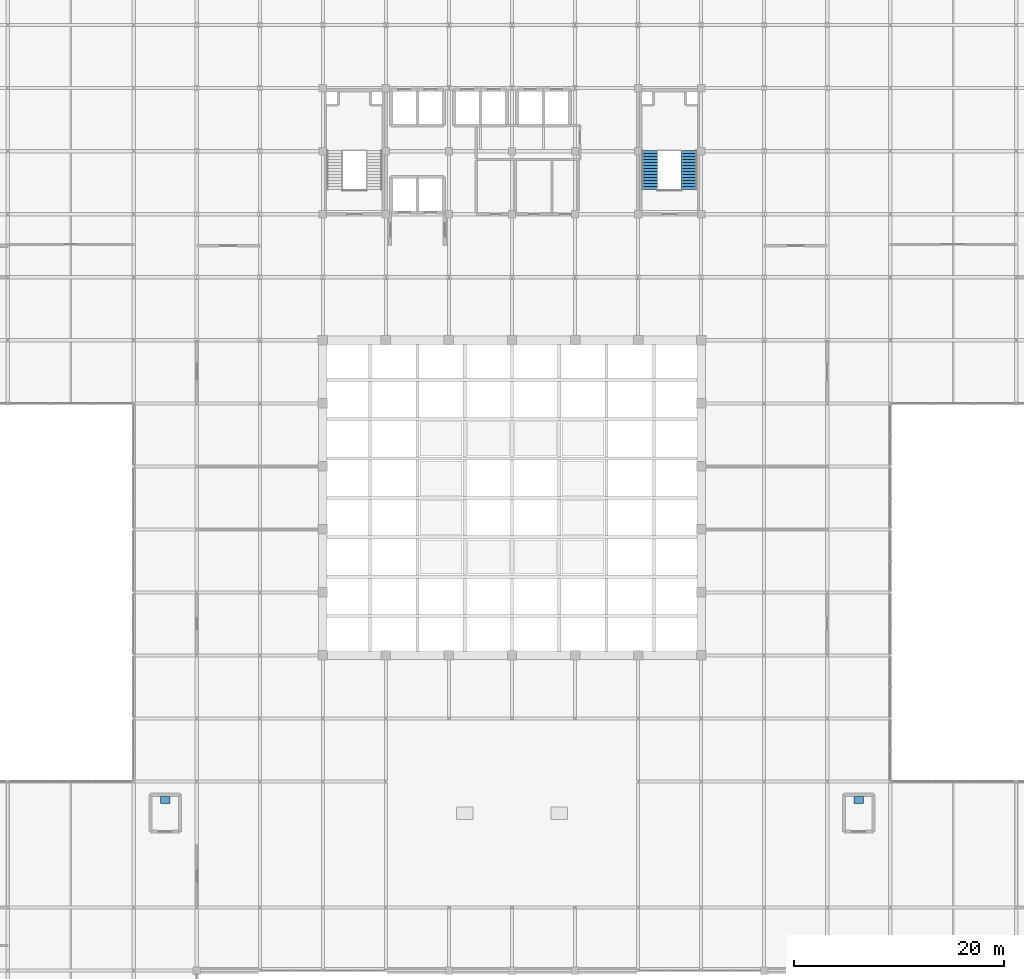
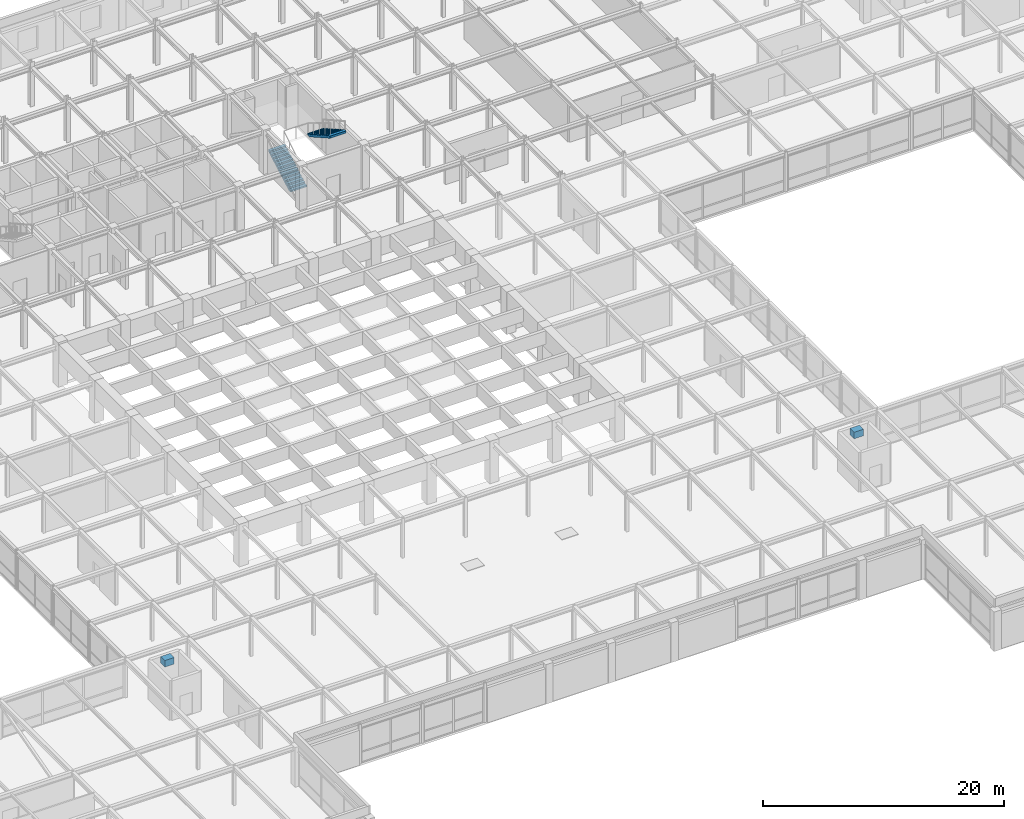
# One storey, part 110 of 111: 2 discrete accessories, 2 stair flights, 1 element without a shape of its own.
"""IFC4 building model written with IfcOpenShell, lengths in metres."""

from ifc_helpers import new_model, si_unit, direction, frame, origin, origin_2d, place, context, subcontext, project, spatial, polyline, rectangle, outline, extrude, material, type_object, element, aggregate, save


model = new_model("IFC4")

# Units and contexts
model_context = context("Model", 3, precision=1e-05, world=origin(), true_north=direction((0.0, 1.0)))
body_context = subcontext(model_context, "Body", "Model", "MODEL_VIEW")
ifc_project = project(units=[si_unit("LENGTHUNIT", "METRE"), si_unit("AREAUNIT", "SQUARE_METRE"), si_unit("VOLUMEUNIT", "CUBIC_METRE"), si_unit("PLANEANGLEUNIT", "RADIAN"), si_unit("MASSUNIT", "GRAM", prefix="KILO")], contexts=[model_context])

# Site, building, storey
site_placement = place(None, origin())
site = spatial("IfcSite", under=ifc_project, at=site_placement, CompositionType="ELEMENT")
building_placement = place(site_placement, origin())
building = spatial("IfcBuilding", under=site, at=building_placement, Name="Zlatovratsky Civic Hall", CompositionType="ELEMENT")
storey_placement = place(building_placement, frame((0.0, 0.0, 16.5)))
storey = spatial("IfcBuildingStorey", under=building, at=storey_placement, Name="L04", CompositionType="ELEMENT", Elevation=16.5)

# Stair, stair flights
ifc_material_1 = material(Name="Concrete C30/37 (B35)", Category="concrete")
stair_type = type_object("IfcStairType", Name="Stair_HALF_28R_1550W_03", PredefinedType="HALF_TURN_STAIR", material=ifc_material_1)
stair_placement = place(storey_placement, origin())
stair = element("IfcStair", 1, at=stair_placement, inside=storey, type_object=stair_type, Name="ST-024", PredefinedType="HALF_TURN_STAIR")
stair_flight_type = type_object("IfcStairFlightType", Name="StairFlight_14R_1550W_03", PredefinedType="STRAIGHT", material=ifc_material_1)
stair_flight_1_placement = place(storey_placement, frame((97.125, 86.35009765625, 0.0), z_axis=(0.0, 0.0, 1.0), x_axis=(0.0, 1.0, 0.0)))
stair_flight_1 = element("IfcStairFlight", 2, at=stair_flight_1_placement, type_object=stair_flight_type, Name="ST-024-F1", NumberOfRisers=14, NumberOfTreads=13, PredefinedType="STRAIGHT", RiserHeight=0.160714286, TreadLength=0.285, context=body_context, shape_type="SweptSolid", body=[
    extrude(outline(polyline([(0.0, 0.0), (0.0, 0.16064453125), (0.284912109375, 0.16064453125), (0.284912109375, 0.321533203125), (0.570068359375, 0.321533203125), (0.570068359375, 0.482177734375), (0.85498046875, 0.482177734375), (0.85498046875, 0.642822265625), (1.139892578125, 0.642822265625), (1.139892578125, 0.803466796875), (1.425048828125, 0.803466796875), (1.425048828125, 0.96435546875), (1.7099609375, 0.96435546875), (1.7099609375, 1.125), (1.9951171875, 1.125), (1.9951171875, 1.28564453125), (2.280029296875, 1.28564453125), (2.280029296875, 1.446533203125), (2.56494140625, 1.446533203125), (2.56494140625, 1.607177734375), (2.85009765625, 1.607177734375), (2.85009765625, 1.767822265625), (3.135009765625, 1.767822265625), (3.135009765625, 1.928466796875), (3.419921875, 1.928466796875), (3.419921875, 2.08935546875), (3.705078125, 2.08935546875), (3.705078125, 2.25), (3.705078125, 1.8828125), (0.3662109375, 0.0), (0.0, 0.0)])), frame((0.0, 0.77490234375, 0.0), z_axis=(0.0, -1.0, 0.0), x_axis=(1.0, 0.0, 0.0)), (0.0, 0.0, 1.0), 1.550048828125),
])
stair_flight_2_placement = place(storey_placement, frame((100.875, 90.054931640625, 2.25), z_axis=(0.0, 0.0, 1.0), x_axis=(0.0, -1.0, 0.0)))
stair_flight_2 = element("IfcStairFlight", 3, at=stair_flight_2_placement, type_object=stair_flight_type, Name="ST-024-F2", NumberOfRisers=14, NumberOfTreads=13, PredefinedType="STRAIGHT", RiserHeight=0.160714286, TreadLength=0.285, context=body_context, shape_type="SweptSolid", body=[
    extrude(outline(polyline([(0.0, 0.0), (0.0, 0.16064453125), (0.284912109375, 0.16064453125), (0.284912109375, 0.321533203125), (0.570068359375, 0.321533203125), (0.570068359375, 0.482177734375), (0.85498046875, 0.482177734375), (0.85498046875, 0.642822265625), (1.139892578125, 0.642822265625), (1.139892578125, 0.803466796875), (1.425048828125, 0.803466796875), (1.425048828125, 0.96435546875), (1.7099609375, 0.96435546875), (1.7099609375, 1.125), (1.9951171875, 1.125), (1.9951171875, 1.28564453125), (2.280029296875, 1.28564453125), (2.280029296875, 1.446533203125), (2.56494140625, 1.446533203125), (2.56494140625, 1.607177734375), (2.85009765625, 1.607177734375), (2.85009765625, 1.767822265625), (3.135009765625, 1.767822265625), (3.135009765625, 1.928466796875), (3.419921875, 1.928466796875), (3.419921875, 2.08935546875), (3.705078125, 2.08935546875), (3.705078125, 2.25), (3.705078125, 1.8828125), (0.3662109375, 0.0), (0.0, 0.0)])), frame((0.0, 0.77490234375, 0.0), z_axis=(0.0, -1.0, 0.0), x_axis=(1.0, 0.0, 0.0)), (0.0, 0.0, 1.0), 1.550048828125),
])
aggregate(stair, [stair_flight_1, stair_flight_2])

# Discrete accessories
ifc_material_2 = material(Name="Steel S355", Category="steel")
discrete_accessory_type = type_object("IfcDiscreteAccessoryType", Name="Lift_TractionMachine", PredefinedType="USERDEFINED", material=ifc_material_2)
for number, where, z_axis, x_axis, name in (
    (4, (51.0, 28.25, 3.400146484375), (0.0, 0.0, 1.0), (1.0, 0.0, 0.0), "Lift Traction Machine LP-07"),
    (5, (117.0, 28.25, 3.400146484375), (0.0, 0.0, 1.0), (1.0, 0.0, 0.0), "Lift Traction Machine LP-08"),
):
    element("IfcDiscreteAccessory", number, at=place(storey_placement, frame(where, z_axis=z_axis, x_axis=x_axis)), inside=storey, type_object=discrete_accessory_type, Name=name, ObjectType="TRACTION MACHINE", PredefinedType="USERDEFINED", context=body_context, shape_type="SweptSolid", body=[
        extrude(rectangle(XDim=0.89990234375, YDim=0.699951171875, at=origin_2d()), origin(), (0.0, 0.0, 1.0), 0.64990234375),
    ])

save(model, "model.ifc")
